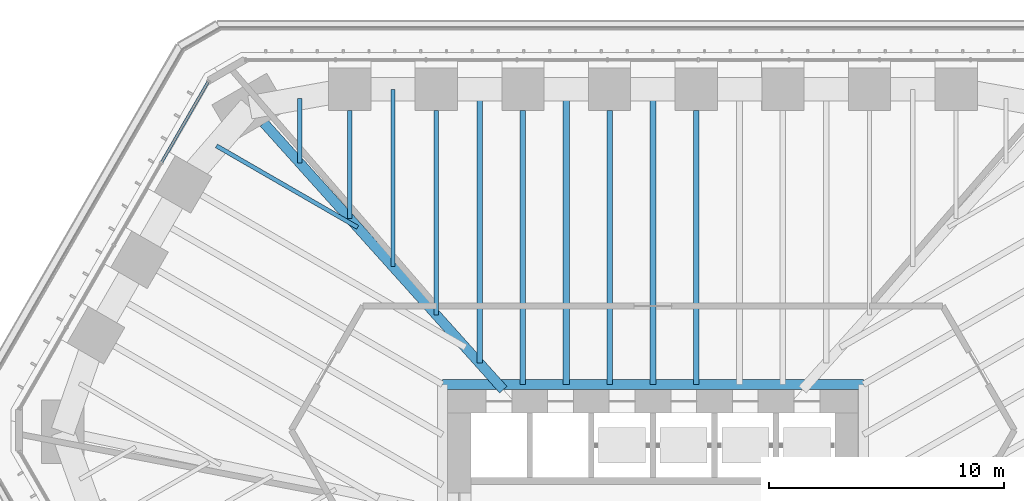
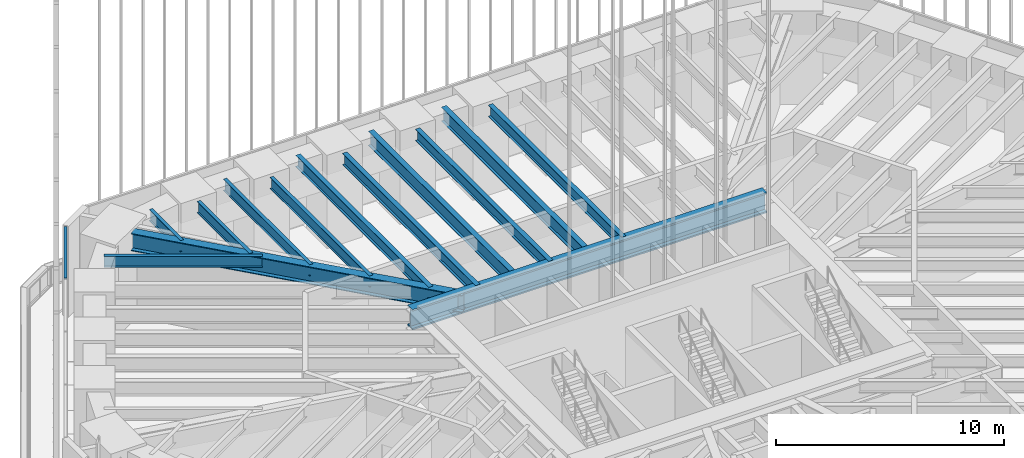
# One storey, part 152 of 228: 13 beams, 1 member, 1 element without a shape of its own.
"""IFC4 building model written with IfcOpenShell, lengths in metres."""

from ifc_helpers import new_model, si_unit, direction, frame, origin, origin_2d, place, context, subcontext, project, spatial, rectangle, i_section, extrude, material, material_profile, profile_set, type_object, element, aggregate, save


model = new_model("IFC4")

# Units and contexts
model_context = context("Model", 3, precision=1e-05, world=origin(), true_north=direction((0.0, 1.0)))
body_context = subcontext(model_context, "Body", "Model", "MODEL_VIEW")
ifc_project = project(units=[si_unit("LENGTHUNIT", "METRE"), si_unit("AREAUNIT", "SQUARE_METRE"), si_unit("VOLUMEUNIT", "CUBIC_METRE"), si_unit("PLANEANGLEUNIT", "RADIAN"), si_unit("MASSUNIT", "GRAM", prefix="KILO")], contexts=[model_context])

# Site, building, storey
site_placement = place(None, origin())
site = spatial("IfcSite", under=ifc_project, at=site_placement, CompositionType="ELEMENT")
building_placement = place(site_placement, origin())
building = spatial("IfcBuilding", under=site, at=building_placement, Name="Sandreach Pilgrim Tower", CompositionType="ELEMENT")
storey_placement = place(building_placement, frame((0.0, 0.0, 178.199951171875)))
storey = spatial("IfcBuildingStorey", under=building, at=storey_placement, Name="L44", CompositionType="ELEMENT", Elevation=178.199951171875)

# Curtain wall, member
ifc_material_1 = material(Name="Aluminium framed curtain wall", Category="aluminium")
curtain_wall_type = type_object("IfcCurtainWallType", Name="Upper hotel tower curtain wall", PredefinedType="NOTDEFINED", material=ifc_material_1)
curtain_wall_placement = place(storey_placement, origin())
curtain_wall = element("IfcCurtainWall", 1, at=curtain_wall_placement, inside=storey, type_object=curtain_wall_type, Name="CW-3 L44 NW", PredefinedType="NOTDEFINED")
ifc_material_2 = material(Name="Aluminium extrusion", Category="aluminium")
ifc_material_profile_1 = material_profile(ifc_material_2, rectangle(XDim=0.1201171875, YDim=0.070068359375, at=origin_2d()), Name="CW-3T 120X70")
ifc_profile_set_1 = profile_set([ifc_material_profile_1], Name="Aluminium extrusion")
member_type = type_object("IfcMemberType", Name="CW-3 transom", PredefinedType="USERDEFINED", material=ifc_profile_set_1)
member_placement = place(storey_placement, frame((-20.930908203125, 16.796875, 4.804931640625), z_axis=(0.499993448556, 0.866029186229, 0.0), x_axis=(-0.866029186229, 0.499993448556, 0.0)))
member = element("IfcMember", 2, at=member_placement, type_object=member_type, Name="CW-3 head transom 4", ObjectType="TRANSOM", PredefinedType="USERDEFINED", context=body_context, shape_type="SweptSolid", body=[
    extrude(rectangle(XDim=0.1201171875, YDim=0.070068359375, at=origin_2d()), origin(), (0.0, 0.0, 1.0), 3.951171875),
])
aggregate(curtain_wall, [member])

# Beams
ifc_material_3 = material(Name="Steel ASTM A992 Grade 50", Category="steel")
ifc_material_profile_2 = material_profile(ifc_material_3, i_section(OverallWidth=0.424072265625, OverallDepth=1.09228515625, WebThickness=0.04541015625, FlangeThickness=0.08203125, at=origin_2d()), Name="W40X593")
ifc_profile_set_2 = profile_set([ifc_material_profile_2], Name="Steel ASTM A992 Grade 50")
beam_type_1 = type_object("IfcBeamType", Name="Core edge beam W40X593", PredefinedType="BEAM", material=ifc_profile_set_2)
beam_1_placement = place(storey_placement, frame((-8.97216796875, 7.322021484375, 4.2939453125), z_axis=(1.0, 0.0, 0.0), x_axis=(0.0, 1.0, 0.0)))
element("IfcBeam", 3, at=beam_1_placement, inside=storey, type_object=beam_type_1, Name="BM L44 CEN", PredefinedType="BEAM", context=body_context, shape_type="SweptSolid", body=[
    extrude(i_section(OverallWidth=0.424072265625, OverallDepth=1.09228515625, WebThickness=0.04541015625, FlangeThickness=0.08203125, at=origin_2d()), origin(), (0.0, 0.0, 1.0), 17.9443359375),
])
ifc_material_4 = material(Name="Steel ASTM A992 Grade 50", Category="steel")
ifc_material_profile_3 = material_profile(ifc_material_4, i_section(OverallWidth=0.421630859375, OverallDepth=0.937255859375, WebThickness=0.0224609375, FlangeThickness=0.039794921875, at=origin_2d()), Name="W36X282")
ifc_profile_set_3 = profile_set([ifc_material_profile_3], Name="Steel ASTM A992 Grade 50")
beam_type_2 = type_object("IfcBeamType", Name="Corner girder W36X282", PredefinedType="BEAM", material=ifc_profile_set_3)
beam_2_placement = place(storey_placement, frame((-16.57666015625, 18.4609375, 4.371337890625), z_axis=(0.668110921251, -0.744061688911, 0.0), x_axis=(0.744061688911, 0.668110921251, 0.0)))
element("IfcBeam", 4, at=beam_2_placement, inside=storey, type_object=beam_type_2, Name="BM L44 CG39", PredefinedType="BEAM", context=body_context, shape_type="SweptSolid", body=[
    extrude(i_section(OverallWidth=0.421630859375, OverallDepth=0.937255859375, WebThickness=0.0224609375, FlangeThickness=0.039794921875, at=origin_2d()), origin(), (0.0, 0.0, 1.0), 15.268798828125),
])
ifc_material_5 = material(Name="Steel ASTM A992 Grade 50", Category="steel")
ifc_material_profile_4 = material_profile(ifc_material_5, i_section(OverallWidth=0.1787109375, OverallDepth=0.60205078125, WebThickness=0.010986328125, FlangeThickness=0.014892578125, at=origin_2d()), Name="W24X62")
ifc_profile_set_4 = profile_set([ifc_material_profile_4], Name="Steel ASTM A992 Grade 50")
beam_type_3 = type_object("IfcBeamType", Name="Floor beam W24X62", PredefinedType="BEAM", material=ifc_profile_set_4)
beam_3_placement = place(storey_placement, frame((-12.923828125, 19.0, 4.5390625), z_axis=(0.0, -1.0, 0.0), x_axis=(1.0, 0.0, 0.0)))
element("IfcBeam", 5, at=beam_3_placement, inside=storey, type_object=beam_type_3, Name="BM L44 F01", PredefinedType="BEAM", context=body_context, shape_type="SweptSolid", body=[
    extrude(i_section(OverallWidth=0.1787109375, OverallDepth=0.60205078125, WebThickness=0.010986328125, FlangeThickness=0.014892578125, at=origin_2d()), origin(), (0.0, 0.0, 1.0), 4.607421875),
])
beam_4_placement = place(storey_placement, frame((-9.231201171875, 19.0, 4.5390625), z_axis=(0.0, -1.0, 0.0), x_axis=(1.0, 0.0, 0.0)))
element("IfcBeam", 6, at=beam_4_placement, inside=storey, type_object=beam_type_3, Name="BM L44 F02", PredefinedType="BEAM", context=body_context, shape_type="SweptSolid", body=[
    extrude(i_section(OverallWidth=0.1787109375, OverallDepth=0.60205078125, WebThickness=0.010986328125, FlangeThickness=0.014892578125, at=origin_2d()), origin(), (0.0, 0.0, 1.0), 8.719482421875),
])
beam_5_placement = place(storey_placement, frame((-11.077392578125, 19.900146484375, 4.5390625), z_axis=(0.0, -1.0, 0.0), x_axis=(1.0, 0.0, 0.0)))
element("IfcBeam", 7, at=beam_5_placement, inside=storey, type_object=beam_type_3, Name="BM L44 FM01", PredefinedType="BEAM", context=body_context, shape_type="SweptSolid", body=[
    extrude(i_section(OverallWidth=0.1787109375, OverallDepth=0.60205078125, WebThickness=0.010986328125, FlangeThickness=0.014892578125, at=origin_2d()), origin(), (0.0, 0.0, 1.0), 7.563720703125),
])
beam_6_placement = place(storey_placement, frame((-18.6015625, 17.48828125, 4.5390625), z_axis=(0.866029381593, -0.499993110171, 0.0), x_axis=(0.499993110171, 0.866029381593, 0.0)))
element("IfcBeam", 8, at=beam_6_placement, inside=storey, type_object=beam_type_3, Name="BM L44 FM38", PredefinedType="BEAM", context=body_context, shape_type="SweptSolid", body=[
    extrude(i_section(OverallWidth=0.1787109375, OverallDepth=0.60205078125, WebThickness=0.010986328125, FlangeThickness=0.014892578125, at=origin_2d()), origin(), (0.0, 0.0, 1.0), 6.94921875),
])
beam_7_placement = place(storey_placement, frame((-15.05078125, 19.515380859375, 4.5390625), z_axis=(0.0, -1.0, 0.0), x_axis=(1.0, 0.0, 0.0)))
element("IfcBeam", 9, at=beam_7_placement, inside=storey, type_object=beam_type_3, Name="BM L44 FM39", PredefinedType="BEAM", context=body_context, shape_type="SweptSolid", body=[
    extrude(i_section(OverallWidth=0.1787109375, OverallDepth=0.60205078125, WebThickness=0.010986328125, FlangeThickness=0.014892578125, at=origin_2d()), origin(), (0.0, 0.0, 1.0), 2.75390625),
])
ifc_material_6 = material(Name="Steel ASTM A992 Grade 50", Category="steel")
ifc_material_profile_5 = material_profile(ifc_material_6, i_section(OverallWidth=0.23046875, OverallDepth=0.6171875, WebThickness=0.01318359375, FlangeThickness=0.022216796875, at=origin_2d()), Name="W24X94")
ifc_profile_set_5 = profile_set([ifc_material_profile_5], Name="Steel ASTM A992 Grade 50")
beam_type_4 = type_object("IfcBeamType", Name="Floor beam W24X94", PredefinedType="BEAM", material=ifc_profile_set_5)
for number, where, z_axis, x_axis, name in (
    (10, (-5.538818359375, 19.0, 4.531494140625), (0.0, -1.0, 0.0), (1.0, 0.0, 0.0), "BM L44 F03"),
    (11, (-1.84619140625, 19.0, 4.531494140625), (0.0, -1.0, 0.0), (1.0, 0.0, 0.0), "BM L44 F04"),
    (12, (1.84619140625, 19.0, 4.531494140625), (0.0, -1.0, 0.0), (1.0, 0.0, 0.0), "BM L44 F05"),
):
    element("IfcBeam", number, at=place(storey_placement, frame(where, z_axis=z_axis, x_axis=x_axis)), inside=storey, type_object=beam_type_4, Name=name, PredefinedType="BEAM", context=body_context, shape_type="SweptSolid", body=[
        extrude(i_section(OverallWidth=0.23046875, OverallDepth=0.6171875, WebThickness=0.01318359375, FlangeThickness=0.022216796875, at=origin_2d()), origin(), (0.0, 0.0, 1.0), 11.677978515625),
    ])
beam_8_placement = place(storey_placement, frame((-7.385009765625, 19.900146484375, 4.531494140625), z_axis=(0.0, -1.0, 0.0), x_axis=(1.0, 0.0, 0.0)))
element("IfcBeam", 13, at=beam_8_placement, inside=storey, type_object=beam_type_4, Name="BM L44 FM02", PredefinedType="BEAM", context=body_context, shape_type="SweptSolid", body=[
    extrude(i_section(OverallWidth=0.23046875, OverallDepth=0.6171875, WebThickness=0.01318359375, FlangeThickness=0.022216796875, at=origin_2d()), origin(), (0.0, 0.0, 1.0), 11.67578125),
])
ifc_material_7 = material(Name="Steel ASTM A992 Grade 50", Category="steel")
ifc_material_profile_6 = material_profile(ifc_material_7, i_section(OverallWidth=0.2666015625, OverallDepth=0.761962890625, WebThickness=0.014404296875, FlangeThickness=0.021484375, at=origin_2d()), Name="W30X116")
ifc_profile_set_6 = profile_set([ifc_material_profile_6], Name="Steel ASTM A992 Grade 50")
beam_type_5 = type_object("IfcBeamType", Name="Floor beam W30X116", PredefinedType="BEAM", material=ifc_profile_set_6)
for number, where, z_axis, x_axis, name in (
    (14, (-3.6923828125, 19.900146484375, 4.458984375), (0.0, -1.0, 0.0), (1.0, 0.0, 0.0), "BM L44 FM03"),
    (15, (0.0, 19.900146484375, 4.458984375), (0.0, -1.0, 0.0), (1.0, 0.0, 0.0), "BM L44 FM04"),
):
    element("IfcBeam", number, at=place(storey_placement, frame(where, z_axis=z_axis, x_axis=x_axis)), inside=storey, type_object=beam_type_5, Name=name, PredefinedType="BEAM", context=body_context, shape_type="SweptSolid", body=[
        extrude(i_section(OverallWidth=0.2666015625, OverallDepth=0.761962890625, WebThickness=0.014404296875, FlangeThickness=0.021484375, at=origin_2d()), origin(), (0.0, 0.0, 1.0), 12.578125),
    ])

save(model, "model.ifc")
